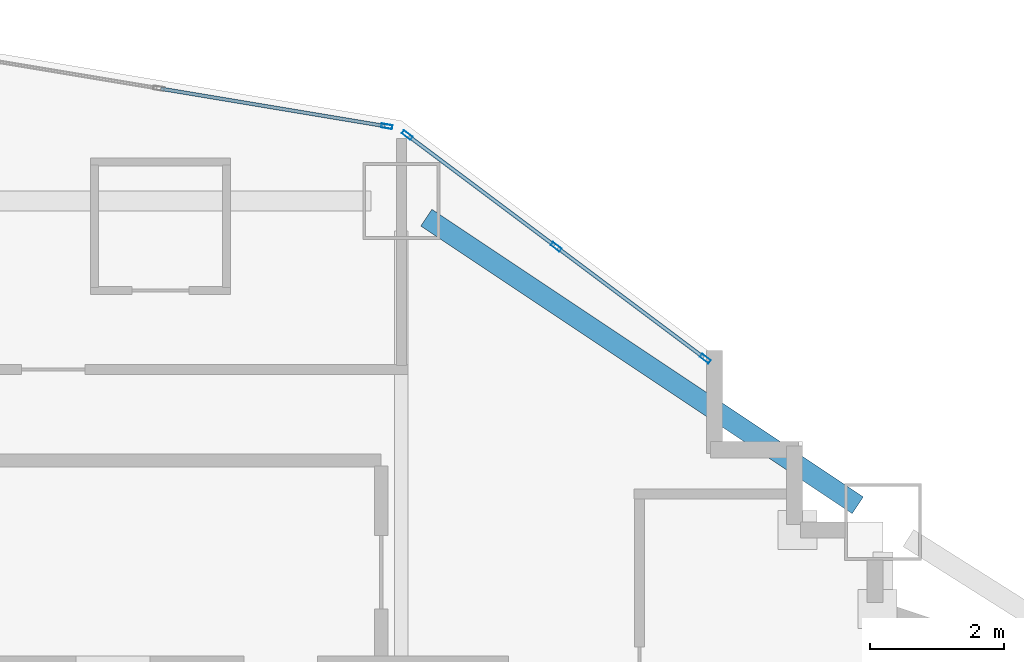
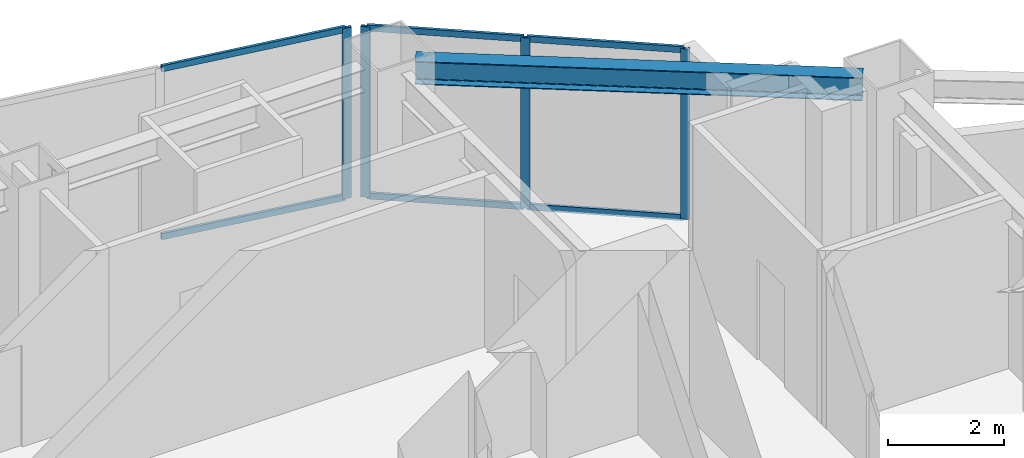
# One storey, part 3 of 16: 10 members, 1 beam, 2 elements without a shape of their own.
"""IFC4 building model written with IfcOpenShell, lengths in metres."""

from ifc_helpers import new_model, si_unit, direction, frame, origin, origin_2d, place, context, subcontext, project, spatial, hollow_rectangle, i_section, extrude, material, layer, layer_set, material_profile, profile_set, type_object, element, aggregate, save


model = new_model("IFC4")

# Units and contexts
model_context = context("Model", 3, precision=1e-05, world=origin(), true_north=direction((0.0, 1.0)))
body_context = subcontext(model_context, "Body", "Model", "MODEL_VIEW")
ifc_project = project(units=[si_unit("LENGTHUNIT", "METRE"), si_unit("AREAUNIT", "SQUARE_METRE"), si_unit("VOLUMEUNIT", "CUBIC_METRE"), si_unit("PLANEANGLEUNIT", "RADIAN"), si_unit("MASSUNIT", "GRAM", prefix="KILO")], contexts=[model_context])

# Site, building, storey
site_placement = place(None, origin())
site = spatial("IfcSite", under=ifc_project, at=site_placement, CompositionType="ELEMENT")
building_placement = place(site_placement, origin())
building = spatial("IfcBuilding", under=site, at=building_placement, Name="Haolan Belvedere Tower", CompositionType="ELEMENT")
storey_placement = place(building_placement, frame((0.0, 0.0, 47.60009765625)))
storey = spatial("IfcBuildingStorey", under=building, at=storey_placement, Name="L11", CompositionType="ELEMENT", Elevation=47.60009765625)

# Beam
ifc_material_1 = material(Name="Steel Q355B", Category="steel")
ifc_material_profile_1 = material_profile(ifc_material_1, i_section(OverallWidth=0.300048828125, OverallDepth=0.488037109375, WebThickness=0.010986328125, FlangeThickness=0.01806640625, FilletRadius=0.02587890625, at=origin_2d()), Name="Steel Q355B")
ifc_profile_set_1 = profile_set([ifc_material_profile_1], Name="Steel Q355B")
beam_type = type_object("IfcBeamType", Name="BM-HM488x300x11x18", PredefinedType="SPANDREL", material=ifc_profile_set_1)
beam_placement = place(storey_placement, frame((45.974365234375, 50.150390625, 3.35595703125), z_axis=(0.832050294338, -0.554700196225, 0.0), x_axis=(0.554700196225, 0.832050294338, 0.0)))
element("IfcBeam", 1, at=beam_placement, inside=storey, type_object=beam_type, Name="L11 spandrel girder MC-T3-N2-MC-T3-NE", PredefinedType="SPANDREL", context=body_context, shape_type="SweptSolid", body=[
    extrude(i_section(OverallWidth=0.300048828125, OverallDepth=0.488037109375, WebThickness=0.010986328125, FlangeThickness=0.01806640625, FilletRadius=0.02587890625, at=origin_2d()), origin(), (0.0, 0.0, 1.0), 7.75341796875),
])

# Curtain wall, members
ifc_material_2 = material(Name="Anodised champagne-silver aluminium 6063-T6 and Low-E glass", Category="aluminium")
ifc_layer = layer(ifc_material_2, 0.1650390625, Name="Anodised champagne-silver aluminium 6063-T6 and Low-E glass")
ifc_layer_set = layer_set([ifc_layer], Name="Anodised champagne-silver aluminium 6063-T6 and Low-E glass")
curtain_wall_type = type_object("IfcCurtainWallType", Name="CW-SYS-02", PredefinedType="NOTDEFINED", material=ifc_layer_set)
curtain_wall_1_placement = place(storey_placement, origin())
curtain_wall_1 = element("IfcCurtainWall", 2, at=curtain_wall_1_placement, inside=storey, type_object=curtain_wall_type, Name="L11 CW-SYS-02 ribbon curtain wall 41.1", PredefinedType="NOTDEFINED")
ifc_material_3 = material(Name="Anodised aluminium 6063-T6", Category="aluminium")
ifc_material_profile_2 = material_profile(ifc_material_3, hollow_rectangle(XDim=0.06005859375, YDim=0.1650390625, WallThickness=0.00390625, at=origin_2d()), Name="Anodised aluminium 6063-T6")
ifc_profile_set_2 = profile_set([ifc_material_profile_2], Name="Anodised aluminium 6063-T6")
member_type_1 = type_object("IfcMemberType", Name="CW-SYS-02-MUL", PredefinedType="MULLION", material=ifc_profile_set_2)
member_1_placement = place(storey_placement, frame((50.14404296875, 48.0419921875, 0.0), z_axis=(0.0, 0.0, 1.0), x_axis=(-0.599994316874, -0.800004262313, 0.0)))
member_1 = element("IfcMember", 3, at=member_1_placement, type_object=member_type_1, Name="CW-02 mullion 1", PredefinedType="MULLION", context=body_context, shape_type="SweptSolid", body=[
    extrude(hollow_rectangle(XDim=0.06005859375, YDim=0.1650390625, WallThickness=0.00390625, at=origin_2d()), origin(), (0.0, 0.0, 1.0), 3.599853515625),
])
member_2_placement = place(storey_placement, frame((47.915771484375, 49.713134765625, 0.0), z_axis=(0.0, 0.0, 1.0), x_axis=(-0.599994316874, -0.800004262313, 0.0)))
member_2 = element("IfcMember", 4, at=member_2_placement, type_object=member_type_1, Name="CW-02 mullion 2", PredefinedType="MULLION", context=body_context, shape_type="SweptSolid", body=[
    extrude(hollow_rectangle(XDim=0.06005859375, YDim=0.1650390625, WallThickness=0.00390625, at=origin_2d()), origin(), (0.0, 0.0, 1.0), 3.599853515625),
])
member_3_placement = place(storey_placement, frame((45.6875, 51.384521484375, 0.0), z_axis=(0.0, 0.0, 1.0), x_axis=(-0.599994316874, -0.800004262313, 0.0)))
member_3 = element("IfcMember", 5, at=member_3_placement, type_object=member_type_1, Name="CW-02 mullion 3", PredefinedType="MULLION", context=body_context, shape_type="SweptSolid", body=[
    extrude(hollow_rectangle(XDim=0.06005859375, YDim=0.1650390625, WallThickness=0.00390625, at=origin_2d()), origin(), (0.0, 0.0, 1.0), 3.599853515625),
])

# Curtain wall, member
curtain_wall_2_placement = place(storey_placement, origin())
curtain_wall_2 = element("IfcCurtainWall", 6, at=curtain_wall_2_placement, inside=storey, type_object=curtain_wall_type, Name="L11 CW-SYS-02 ribbon curtain wall 42.1", PredefinedType="NOTDEFINED")
member_4_placement = place(storey_placement, frame((45.3837890625, 51.514404296875, 0.0), z_axis=(0.0, 0.0, 1.0), x_axis=(-0.16440364043, -0.9863931483, 0.0)))
member_4 = element("IfcMember", 7, at=member_4_placement, type_object=member_type_1, Name="CW-02 mullion 1", PredefinedType="MULLION", context=body_context, shape_type="SweptSolid", body=[
    extrude(hollow_rectangle(XDim=0.06005859375, YDim=0.1650390625, WallThickness=0.00390625, at=origin_2d()), origin(), (0.0, 0.0, 1.0), 3.599853515625),
])

# Member
ifc_material_profile_3 = material_profile(ifc_material_3, hollow_rectangle(XDim=0.054931640625, YDim=0.1298828125, WallThickness=0.00390625, at=origin_2d()), Name="Anodised aluminium 6063-T6")
ifc_profile_set_3 = profile_set([ifc_material_profile_3], Name="Anodised aluminium 6063-T6")
member_type_2 = type_object("IfcMemberType", Name="CW-SYS-02-TRN", PredefinedType="USERDEFINED", material=ifc_profile_set_3)
member_5_placement = place(storey_placement, frame((50.1201171875, 48.06005859375, 0.02734375), z_axis=(-0.800010749092, 0.599985667609, 0.0), x_axis=(-0.599985667609, -0.800010749092, 0.0)))
member_5 = element("IfcMember", 8, at=member_5_placement, type_object=member_type_2, Name="CW-02 transom 1.1", ObjectType="TRANSOM", PredefinedType="USERDEFINED", context=body_context, shape_type="SweptSolid", body=[
    extrude(hollow_rectangle(XDim=0.054931640625, YDim=0.1298828125, WallThickness=0.00390625, at=origin_2d()), origin(), (0.0, 0.0, 1.0), 2.7255859375),
])

member_6_placement = place(storey_placement, frame((50.1201171875, 48.06005859375, 3.572509765625), z_axis=(-0.800010749092, 0.599985667609, 0.0), x_axis=(-0.599985667609, -0.800010749092, 0.0)))
member_6 = element("IfcMember", 9, at=member_6_placement, type_object=member_type_2, Name="CW-02 transom 1.2", ObjectType="TRANSOM", PredefinedType="USERDEFINED", context=body_context, shape_type="SweptSolid", body=[
    extrude(hollow_rectangle(XDim=0.054931640625, YDim=0.1298828125, WallThickness=0.00390625, at=origin_2d()), origin(), (0.0, 0.0, 1.0), 2.7255859375),
])

member_7_placement = place(storey_placement, frame((47.8916015625, 49.731201171875, 0.02734375), z_axis=(-0.799978499504, 0.600028666258, 0.0), x_axis=(-0.600028666258, -0.799978499504, 0.0)))
member_7 = element("IfcMember", 10, at=member_7_placement, type_object=member_type_2, Name="CW-02 transom 2.1", ObjectType="TRANSOM", PredefinedType="USERDEFINED", context=body_context, shape_type="SweptSolid", body=[
    extrude(hollow_rectangle(XDim=0.054931640625, YDim=0.1298828125, WallThickness=0.00390625, at=origin_2d()), origin(), (0.0, 0.0, 1.0), 2.725341796875),
])

member_8_placement = place(storey_placement, frame((47.8916015625, 49.731201171875, 3.572509765625), z_axis=(-0.799978499504, 0.600028666258, 0.0), x_axis=(-0.600028666258, -0.799978499504, 0.0)))
member_8 = element("IfcMember", 11, at=member_8_placement, type_object=member_type_2, Name="CW-02 transom 2.2", ObjectType="TRANSOM", PredefinedType="USERDEFINED", context=body_context, shape_type="SweptSolid", body=[
    extrude(hollow_rectangle(XDim=0.054931640625, YDim=0.1298828125, WallThickness=0.00390625, at=origin_2d()), origin(), (0.0, 0.0, 1.0), 2.725341796875),
])

aggregate(curtain_wall_1, [member_1, member_2, member_3, member_5, member_6, member_7, member_8])

member_9_placement = place(storey_placement, frame((45.35400390625, 51.519287109375, 0.02734375), z_axis=(-0.986393923832, 0.164398987305, 0.0), x_axis=(-0.164398987305, -0.986393923832, 0.0)))
member_9 = element("IfcMember", 12, at=member_9_placement, type_object=member_type_2, Name="CW-02 transom 1.1", ObjectType="TRANSOM", PredefinedType="USERDEFINED", context=body_context, shape_type="SweptSolid", body=[
    extrude(hollow_rectangle(XDim=0.054931640625, YDim=0.1298828125, WallThickness=0.00390625, at=origin_2d()), origin(), (0.0, 0.0, 1.0), 3.394775390625),
])

member_10_placement = place(storey_placement, frame((45.35400390625, 51.519287109375, 3.572509765625), z_axis=(-0.986393923832, 0.164398987305, 0.0), x_axis=(-0.164398987305, -0.986393923832, 0.0)))
member_10 = element("IfcMember", 13, at=member_10_placement, type_object=member_type_2, Name="CW-02 transom 1.2", ObjectType="TRANSOM", PredefinedType="USERDEFINED", context=body_context, shape_type="SweptSolid", body=[
    extrude(hollow_rectangle(XDim=0.054931640625, YDim=0.1298828125, WallThickness=0.00390625, at=origin_2d()), origin(), (0.0, 0.0, 1.0), 3.394775390625),
])

aggregate(curtain_wall_2, [member_4, member_9, member_10])

save(model, "model.ifc")
